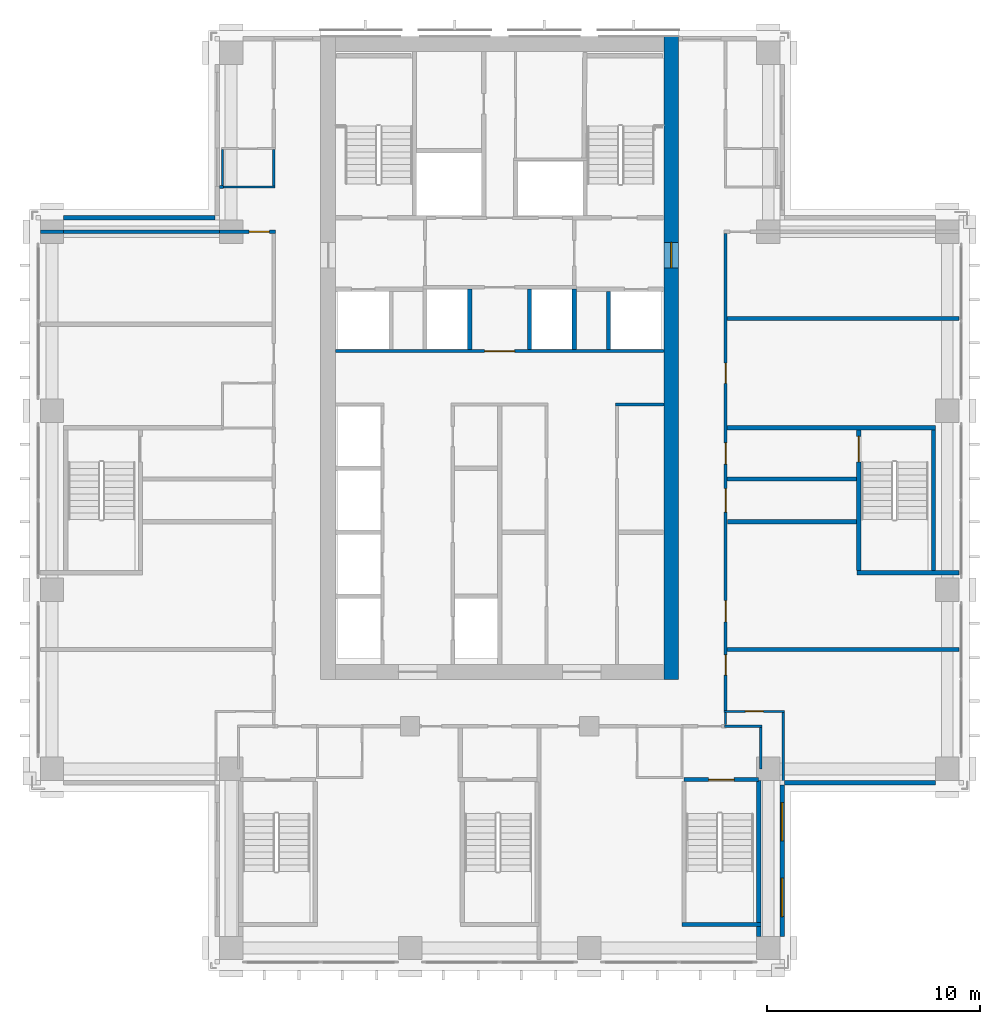
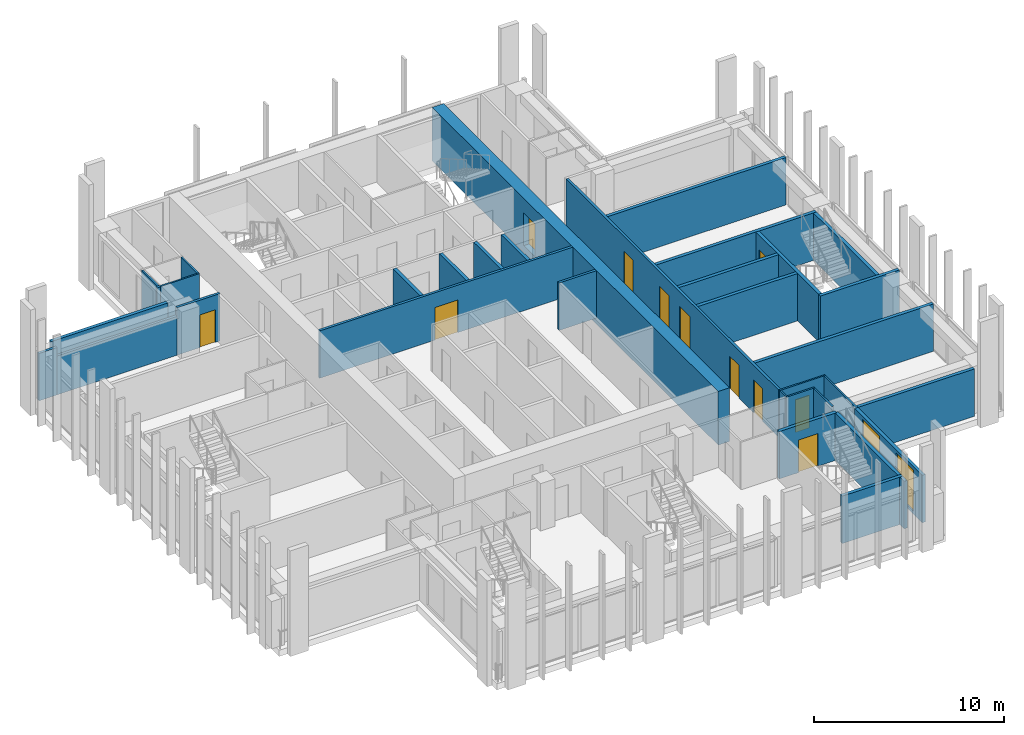
# One storey, part 11 of 16: 34 walls, 11 doors, 2 windows, 13 openings.
"""IFC4 building model written with IfcOpenShell, lengths in metres."""

from ifc_helpers import new_model, si_unit, direction, frame, frame_2d, origin, place, context, subcontext, project, spatial, rectangle, extrude, material, layer, layer_set, type_object, element, fill, save


model = new_model("IFC4")

# Units and contexts
model_context = context("Model", 3, precision=1e-05, world=origin(), true_north=direction((0.0, 1.0)))
body_context = subcontext(model_context, "Body", "Model", "MODEL_VIEW")
ifc_project = project(units=[si_unit("LENGTHUNIT", "METRE"), si_unit("AREAUNIT", "SQUARE_METRE"), si_unit("VOLUMEUNIT", "CUBIC_METRE"), si_unit("PLANEANGLEUNIT", "RADIAN"), si_unit("MASSUNIT", "GRAM", prefix="KILO")], contexts=[model_context])

# Site, building, storey
site_placement = place(None, origin())
site = spatial("IfcSite", under=ifc_project, at=site_placement, CompositionType="ELEMENT")
building_placement = place(site_placement, origin())
building = spatial("IfcBuilding", under=site, at=building_placement, Name="Vermilion Ogive Tower", CompositionType="ELEMENT")
storey_placement = place(building_placement, frame((0.0, 0.0, 164.14990234375)))
storey = spatial("IfcBuildingStorey", under=building, at=storey_placement, Name="L42", CompositionType="ELEMENT", Elevation=164.14990234375)

# Wall
ifc_material_1 = material(Name="Gypsum board partition on steel studs", Category="steel")
ifc_layer_1 = layer(ifc_material_1, 0.10009765625)
ifc_layer_set_1 = layer_set([ifc_layer_1], Name="Partition 100 bath")
wall_type_1 = type_object("IfcWallType", Name="Partition 100 bath", PredefinedType="PARTITIONING", material=ifc_layer_set_1)
wall_1_placement = place(storey_placement, frame((10.550048828125, -10.60009765625, 0.0), z_axis=(0.0, 0.0, 1.0), x_axis=(1.0, 0.0, 0.0)))
element("IfcWall", 1, at=wall_1_placement, inside=storey, type_object=wall_type_1, Name="L42-W-W013", PredefinedType="PARTITIONING", context=body_context, shape_type="SweptSolid", body=[
    extrude(rectangle(XDim=1.75, YDim=0.10009765625, at=frame_2d((0.875, 0.0))), origin(), (0.0, 0.0, 1.0), 3.050048828125),
])

# Wall, opening, door
wall_2_placement = place(storey_placement, frame((10.52490234375, -9.89990234375, 0.0), z_axis=(0.0, 0.0, 1.0), x_axis=(1.0, 0.0, 0.0)))
wall_2 = element("IfcWall", 2, at=wall_2_placement, inside=storey, type_object=wall_type_1, Name="L42-W-W015", PredefinedType="PARTITIONING", context=body_context, shape_type="SweptSolid", body=[
    extrude(rectangle(XDim=2.8251953125, YDim=0.10009765625, at=frame_2d((1.41259765625, 0.0))), origin(), (0.0, 0.0, 1.0), 3.050048828125),
])
opening_1_placement = place(wall_2_placement, frame((1.0, 0.0, 0.0)))
opening_1 = element("IfcOpeningElement", 3, at=opening_1_placement, cuts=wall_2, Name="Opening D3G5013", PredefinedType="OPENING", context=body_context, shape_type="SweptSolid", body=[
    extrude(rectangle(XDim=0.85009765625, YDim=2.10009765625, at=frame_2d((0.425048828125, 1.050048828125))), frame((0.0, 0.06005859375, 0.0), z_axis=(0.0, -1.0, 0.0), x_axis=(1.0, 0.0, 0.0)), (0.0, 0.0, 1.0), 0.1201171875),
])
ifc_material_2 = material(Name="Timber door leaf", Category="wood")
door_type_1 = type_object("IfcDoorType", Name="Bath door 850 x 2100 FD30", OperationType="SINGLE_SWING_LEFT", PredefinedType="DOOR", material=ifc_material_2)
door_1_placement = place(opening_1_placement, origin())
door_1 = element("IfcDoor", 4, at=door_1_placement, inside=storey, type_object=door_type_1, Name="L42-D-D013", OperationType="SINGLE_SWING_RIGHT", OverallHeight=2.10009765625, OverallWidth=0.85009765625, PredefinedType="DOOR", context=body_context, shape_type="SweptSolid", body=[
    extrude(rectangle(XDim=0.85009765625, YDim=2.10009765625, at=frame_2d((0.425048828125, 1.050048828125))), frame((0.0, 0.02490234375, 0.0), z_axis=(0.0, -1.0, 0.0), x_axis=(1.0, 0.0, 0.0)), (0.0, 0.0, 1.0), 0.050048828125),
])
fill(opening_1, door_1)

# Walls
wall_3_placement = place(storey_placement, frame((-13.050048828125, 14.699951171875, 0.0), z_axis=(0.0, 0.0, 1.0), x_axis=(1.0, 0.0, 0.0)))
element("IfcWall", 5, at=wall_3_placement, inside=storey, type_object=wall_type_1, Name="L42-W-W033", PredefinedType="PARTITIONING", context=body_context, shape_type="SweptSolid", body=[
    extrude(rectangle(XDim=2.5, YDim=0.10009765625, at=frame_2d((1.25, 0.0))), origin(), (0.0, 0.0, 1.0), 3.050048828125),
])
wall_4_placement = place(storey_placement, frame((-13.0, 14.77490234375, 0.0), z_axis=(0.0, 0.0, 1.0), x_axis=(0.0, 1.0, 0.0)))
element("IfcWall", 6, at=wall_4_placement, inside=storey, type_object=wall_type_1, Name="L42-W-W042", PredefinedType="PARTITIONING", context=body_context, shape_type="SweptSolid", body=[
    extrude(rectangle(XDim=1.675048828125, YDim=0.10009765625, at=frame_2d((0.83740234375, 0.0))), origin(), (0.0, 0.0, 1.0), 3.050048828125),
])
wall_5_placement = place(storey_placement, frame((-10.60009765625, 14.75, 0.0), z_axis=(0.0, 0.0, 1.0), x_axis=(0.0, 1.0, 0.0)))
element("IfcWall", 7, at=wall_5_placement, inside=storey, type_object=wall_type_1, Name="L42-W-W048", PredefinedType="PARTITIONING", context=body_context, shape_type="SweptSolid", body=[
    extrude(rectangle(XDim=1.699951171875, YDim=0.10009765625, at=frame_2d((0.85009765625, 0.0))), origin(), (0.0, 0.0, 1.0), 3.050048828125),
])
wall_6_placement = place(storey_placement, frame((10.60009765625, -10.52490234375, 0.0), z_axis=(0.0, 0.0, 1.0), x_axis=(0.0, 1.0, 0.0)))
element("IfcWall", 8, at=wall_6_placement, inside=storey, type_object=wall_type_1, Name="L42-W-W058", PredefinedType="PARTITIONING", context=body_context, shape_type="SweptSolid", body=[
    extrude(rectangle(XDim=0.574951171875, YDim=0.10009765625, at=frame_2d((0.28759765625, 0.0))), origin(), (0.0, 0.0, 1.0), 3.050048828125),
])
wall_7_placement = place(storey_placement, frame((12.25, -12.60009765625, 0.0), z_axis=(0.0, 0.0, 1.0), x_axis=(0.0, 1.0, 0.0)))
element("IfcWall", 9, at=wall_7_placement, inside=storey, type_object=wall_type_1, Name="L42-W-W062", PredefinedType="PARTITIONING", context=body_context, shape_type="SweptSolid", body=[
    extrude(rectangle(XDim=1.9501953125, YDim=0.10009765625, at=frame_2d((0.97509765625, 0.0))), origin(), (0.0, 0.0, 1.0), 3.050048828125),
])
wall_8_placement = place(storey_placement, frame((13.300048828125, -13.35009765625, 0.0), z_axis=(0.0, 0.0, 1.0), x_axis=(0.0, 1.0, 0.0)))
element("IfcWall", 10, at=wall_8_placement, inside=storey, type_object=wall_type_1, Name="L42-W-W064", PredefinedType="PARTITIONING", context=body_context, shape_type="SweptSolid", body=[
    extrude(rectangle(XDim=3.400146484375, YDim=0.10009765625, at=frame_2d((1.7001953125, 0.0))), origin(), (0.0, 0.0, 1.0), 3.050048828125),
])
ifc_material_3 = material(Name="Gypsum board partition on steel studs", Category="steel")
ifc_layer_2 = layer(ifc_material_3, 0.14990234375)
ifc_layer_set_2 = layer_set([ifc_layer_2], Name="Partition 150 corridor")
wall_type_2 = type_object("IfcWallType", Name="Partition 150 corridor", PredefinedType="PARTITIONING", material=ifc_layer_set_2)
wall_9_placement = place(storey_placement, frame((-21.550048828125, 12.60009765625, 0.0), z_axis=(0.0, 0.0, 1.0), x_axis=(1.0, 0.0, 0.0)))
element("IfcWall", 11, at=wall_9_placement, inside=storey, type_object=wall_type_2, Name="L42-W-W030", PredefinedType="PARTITIONING", context=body_context, shape_type="SweptSolid", body=[
    extrude(rectangle(XDim=1.10009765625, YDim=0.14990234375, at=frame_2d((0.550048828125, 0.0))), origin(), (0.0, 0.0, 1.0), 3.050048828125),
])
wall_10_placement = place(storey_placement, frame((-13.14990234375, 14.699951171875, 0.0), z_axis=(0.0, 0.0, 1.0), x_axis=(1.0, 0.0, 0.0)))
element("IfcWall", 12, at=wall_10_placement, inside=storey, type_object=wall_type_2, Name="L42-W-W032", PredefinedType="PARTITIONING", context=body_context, shape_type="SweptSolid", body=[
    extrude(rectangle(XDim=0.199951171875, YDim=0.14990234375, at=frame_2d((0.10009765625, 0.0))), origin(), (0.0, 0.0, 1.0), 3.050048828125),
])

# Wall, openings, doors
wall_11_placement = place(storey_placement, frame((10.60009765625, -9.85009765625, 0.0), z_axis=(0.0, 0.0, 1.0), x_axis=(0.0, 1.0, 0.0)))
wall_11 = element("IfcWall", 13, at=wall_11_placement, inside=storey, type_object=wall_type_2, Name="L42-W-W059", PredefinedType="PARTITIONING", context=body_context, shape_type="SweptSolid", body=[
    extrude(rectangle(XDim=22.375, YDim=0.14990234375, at=frame_2d((11.1875, 0.0))), origin(), (0.0, 0.0, 1.0), 3.050048828125),
])
opening_2_placement = place(wall_11_placement, frame((1.650146484375, 0.0, 0.0)))
opening_2 = element("IfcOpeningElement", 14, at=opening_2_placement, cuts=wall_11, Name="Opening D3G5012", PredefinedType="OPENING", context=body_context, shape_type="SweptSolid", body=[
    extrude(rectangle(XDim=0.949951171875, YDim=2.10009765625, at=frame_2d((0.47509765625, 1.050048828125))), frame((0.0, 0.0849609375, 0.0), z_axis=(0.0, -1.0, 0.0), x_axis=(1.0, 0.0, 0.0)), (0.0, 0.0, 1.0), 0.169921875),
])
opening_3_placement = place(wall_11_placement, frame((15.340087890625, 0.0, 0.0)))
opening_3 = element("IfcOpeningElement", 15, at=opening_3_placement, cuts=wall_11, Name="Opening D3G5014", PredefinedType="OPENING", context=body_context, shape_type="SweptSolid", body=[
    extrude(rectangle(XDim=0.949951171875, YDim=2.10009765625, at=frame_2d((0.47509765625, 1.050048828125))), frame((0.0, 0.0849609375, 0.0), z_axis=(0.0, -1.0, 0.0), x_axis=(1.0, 0.0, 0.0)), (0.0, 0.0, 1.0), 0.169921875),
])
opening_4_placement = place(wall_11_placement, frame((9.300048828125, 0.0, 0.0)))
opening_4 = element("IfcOpeningElement", 16, at=opening_4_placement, cuts=wall_11, Name="Opening D3G5024", PredefinedType="OPENING", context=body_context, shape_type="SweptSolid", body=[
    extrude(rectangle(XDim=1.10009765625, YDim=2.10009765625, at=frame_2d((0.550048828125, 1.050048828125))), frame((0.0, 0.0849609375, 0.0), z_axis=(0.0, -1.0, 0.0), x_axis=(1.0, 0.0, 0.0)), (0.0, 0.0, 1.0), 0.169921875),
])
opening_5_placement = place(wall_11_placement, frame((4.150146484375, 0.0, 0.0)))
opening_5 = element("IfcOpeningElement", 17, at=opening_5_placement, cuts=wall_11, Name="Opening D3G5029", PredefinedType="OPENING", context=body_context, shape_type="SweptSolid", body=[
    extrude(rectangle(XDim=1.0, YDim=2.10009765625, at=frame_2d((0.5, 1.050048828125))), frame((0.0, 0.0849609375, 0.0), z_axis=(0.0, -1.0, 0.0), x_axis=(1.0, 0.0, 0.0)), (0.0, 0.0, 1.0), 0.169921875),
])
opening_6_placement = place(wall_11_placement, frame((11.550048828125, 0.0, 0.0)))
opening_6 = element("IfcOpeningElement", 18, at=opening_6_placement, cuts=wall_11, Name="Opening D3G5031", PredefinedType="OPENING", context=body_context, shape_type="SweptSolid", body=[
    extrude(rectangle(XDim=1.0, YDim=2.10009765625, at=frame_2d((0.5, 1.050048828125))), frame((0.0, 0.0849609375, 0.0), z_axis=(0.0, -1.0, 0.0), x_axis=(1.0, 0.0, 0.0)), (0.0, 0.0, 1.0), 0.169921875),
])
ifc_material_4 = material(Name="Timber door leaf", Category="wood")
door_type_2 = type_object("IfcDoorType", Name="Stair door 1100 x 2100 FD60S", OperationType="SINGLE_SWING_LEFT", PredefinedType="DOOR", material=ifc_material_4)
door_2_placement = place(opening_4_placement, origin())
door_2 = element("IfcDoor", 19, at=door_2_placement, inside=storey, type_object=door_type_2, Name="L42-D-D024", OperationType="SINGLE_SWING_LEFT", OverallHeight=2.10009765625, OverallWidth=1.10009765625, PredefinedType="DOOR", context=body_context, shape_type="SweptSolid", body=[
    extrude(rectangle(XDim=1.10009765625, YDim=2.10009765625, at=frame_2d((0.550048828125, 1.050048828125))), frame((0.0, 0.02490234375, 0.0), z_axis=(0.0, -1.0, 0.0), x_axis=(1.0, 0.0, 0.0)), (0.0, 0.0, 1.0), 0.050048828125),
])
fill(opening_4, door_2)
ifc_material_5 = material(Name="Timber door leaf", Category="wood")
door_type_3 = type_object("IfcDoorType", Name="Unit door 1000 x 2100 FD30S", OperationType="SINGLE_SWING_LEFT", PredefinedType="DOOR", material=ifc_material_5)
door_3_placement = place(opening_5_placement, origin())
door_3 = element("IfcDoor", 20, at=door_3_placement, inside=storey, type_object=door_type_3, Name="L42-D-D029", OperationType="SINGLE_SWING_RIGHT", OverallHeight=2.10009765625, OverallWidth=1.0, PredefinedType="DOOR", context=body_context, shape_type="SweptSolid", body=[
    extrude(rectangle(XDim=1.0, YDim=2.10009765625, at=frame_2d((0.5, 1.050048828125))), frame((0.0, 0.02490234375, 0.0), z_axis=(0.0, -1.0, 0.0), x_axis=(1.0, 0.0, 0.0)), (0.0, 0.0, 1.0), 0.050048828125),
])
fill(opening_5, door_3)
door_4_placement = place(opening_6_placement, origin())
door_4 = element("IfcDoor", 21, at=door_4_placement, inside=storey, type_object=door_type_3, Name="L42-D-D031", OperationType="SINGLE_SWING_LEFT", OverallHeight=2.10009765625, OverallWidth=1.0, PredefinedType="DOOR", context=body_context, shape_type="SweptSolid", body=[
    extrude(rectangle(XDim=1.0, YDim=2.10009765625, at=frame_2d((0.5, 1.050048828125))), frame((0.0, 0.02490234375, 0.0), z_axis=(0.0, -1.0, 0.0), x_axis=(1.0, 0.0, 0.0)), (0.0, 0.0, 1.0), 0.050048828125),
])
fill(opening_6, door_4)
ifc_material_6 = material(Name="Timber door leaf", Category="wood")
door_type_4 = type_object("IfcDoorType", Name="Unit door 950 x 2100 FD30S", OperationType="SINGLE_SWING_LEFT", PredefinedType="DOOR", material=ifc_material_6)
door_5_placement = place(opening_2_placement, origin())
door_5 = element("IfcDoor", 22, at=door_5_placement, inside=storey, type_object=door_type_4, Name="L42-D-D012", OperationType="SINGLE_SWING_LEFT", OverallHeight=2.10009765625, OverallWidth=0.949951171875, PredefinedType="DOOR", context=body_context, shape_type="SweptSolid", body=[
    extrude(rectangle(XDim=0.949951171875, YDim=2.10009765625, at=frame_2d((0.47509765625, 1.050048828125))), frame((0.0, 0.02490234375, 0.0), z_axis=(0.0, -1.0, 0.0), x_axis=(1.0, 0.0, 0.0)), (0.0, 0.0, 1.0), 0.050048828125),
])
fill(opening_2, door_5)
door_6_placement = place(opening_3_placement, origin())
door_6 = element("IfcDoor", 23, at=door_6_placement, inside=storey, type_object=door_type_4, Name="L42-D-D014", OperationType="SINGLE_SWING_LEFT", OverallHeight=2.10009765625, OverallWidth=0.949951171875, PredefinedType="DOOR", context=body_context, shape_type="SweptSolid", body=[
    extrude(rectangle(XDim=0.949951171875, YDim=2.10009765625, at=frame_2d((0.47509765625, 1.050048828125))), frame((0.0, 0.02490234375, 0.0), z_axis=(0.0, -1.0, 0.0), x_axis=(1.0, 0.0, 0.0)), (0.0, 0.0, 1.0), 0.050048828125),
])
fill(opening_3, door_6)

# Wall
wall_12_placement = place(storey_placement, frame((5.425048828125, 4.5, 0.0), z_axis=(0.0, 0.0, 1.0), x_axis=(1.0, 0.0, 0.0)))
element("IfcWall", 24, at=wall_12_placement, inside=storey, type_object=wall_type_2, Name="L42-CK-W-W010", PredefinedType="PARTITIONING", context=body_context, shape_type="SweptSolid", body=[
    extrude(rectangle(XDim=2.27392578125, YDim=0.14990234375, at=frame_2d((1.136962890625, 0.0))), origin(), (0.0, 0.0, 1.0), 3.050048828125),
])

# Wall, opening, door
wall_13_placement = place(storey_placement, frame((-7.698974609375, 7.0, 0.0), z_axis=(0.0, 0.0, 1.0), x_axis=(1.0, 0.0, 0.0)))
wall_13 = element("IfcWall", 25, at=wall_13_placement, inside=storey, type_object=wall_type_2, Name="L42-CK-W-W011", PredefinedType="PARTITIONING", context=body_context, shape_type="SweptSolid", body=[
    extrude(rectangle(XDim=15.39794921875, YDim=0.14990234375, at=frame_2d((7.698974609375, 0.0))), origin(), (0.0, 0.0, 1.0), 3.050048828125),
])
opening_7_placement = place(wall_13_placement, frame((6.9990234375, 0.0, 0.0)))
opening_7 = element("IfcOpeningElement", 26, at=opening_7_placement, cuts=wall_13, Name="Opening DAA373", PredefinedType="OPENING", context=body_context, shape_type="SweptSolid", body=[
    extrude(rectangle(XDim=1.39990234375, YDim=2.10009765625, at=frame_2d((0.699951171875, 1.050048828125))), frame((0.0, 0.0849609375, 0.0), z_axis=(0.0, -1.0, 0.0), x_axis=(1.0, 0.0, 0.0)), (0.0, 0.0, 1.0), 0.169921875),
])
ifc_material_7 = material(Name="Timber door leaf", Category="wood")
door_type_5 = type_object("IfcDoorType", Name="Lobby door 1400 x 2100 FD60S", OperationType="SINGLE_SWING_LEFT", PredefinedType="DOOR", material=ifc_material_7)
door_7_placement = place(opening_7_placement, origin())
door_7 = element("IfcDoor", 27, at=door_7_placement, inside=storey, type_object=door_type_5, Name="L42-CK-D-D016", OperationType="SINGLE_SWING_RIGHT", OverallHeight=2.10009765625, OverallWidth=1.39990234375, PredefinedType="DOOR", context=body_context, shape_type="SweptSolid", body=[
    extrude(rectangle(XDim=1.39990234375, YDim=2.10009765625, at=frame_2d((0.699951171875, 1.050048828125))), frame((0.0, 0.02490234375, 0.0), z_axis=(0.0, -1.0, 0.0), x_axis=(1.0, 0.0, 0.0)), (0.0, 0.0, 1.0), 0.050048828125),
])
fill(opening_7, door_7)

# Wall
wall_14_placement = place(storey_placement, frame((-20.449951171875, 12.60009765625, 0.0), z_axis=(0.0, 0.0, 1.0), x_axis=(1.0, 0.0, 0.0)))
element("IfcWall", 28, at=wall_14_placement, inside=storey, type_object=wall_type_2, Name="L42-W-W030-h1", PredefinedType="PARTITIONING", context=body_context, shape_type="SweptSolid", body=[
    extrude(rectangle(XDim=7.300048828125, YDim=0.14990234375, at=frame_2d((3.64990234375, 0.0))), origin(), (0.0, 0.0, 1.0), 2.5),
])

# Wall, opening, door
wall_15_placement = place(storey_placement, frame((-13.14990234375, 12.60009765625, 0.0), z_axis=(0.0, 0.0, 1.0), x_axis=(1.0, 0.0, 0.0)))
wall_15 = element("IfcWall", 29, at=wall_15_placement, inside=storey, type_object=wall_type_2, Name="L42-W-W030-h2", PredefinedType="PARTITIONING", context=body_context, shape_type="SweptSolid", body=[
    extrude(rectangle(XDim=2.625, YDim=0.14990234375, at=frame_2d((1.3125, 0.0))), origin(), (0.0, 0.0, 1.0), 3.050048828125),
])
opening_8_placement = place(wall_15_placement, frame((1.39990234375, 0.0, 0.0)))
opening_8 = element("IfcOpeningElement", 30, at=opening_8_placement, cuts=wall_15, Name="Opening D3G5005", PredefinedType="OPENING", context=body_context, shape_type="SweptSolid", body=[
    extrude(rectangle(XDim=0.949951171875, YDim=2.10009765625, at=frame_2d((0.47509765625, 1.050048828125))), frame((0.0, 0.0849609375, 0.0), z_axis=(0.0, -1.0, 0.0), x_axis=(1.0, 0.0, 0.0)), (0.0, 0.0, 1.0), 0.169921875),
])
door_8_placement = place(opening_8_placement, origin())
door_8 = element("IfcDoor", 31, at=door_8_placement, inside=storey, type_object=door_type_4, Name="L42-D-D005", OperationType="SINGLE_SWING_RIGHT", OverallHeight=2.10009765625, OverallWidth=0.949951171875, PredefinedType="DOOR", context=body_context, shape_type="SweptSolid", body=[
    extrude(rectangle(XDim=0.949951171875, YDim=2.10009765625, at=frame_2d((0.47509765625, 1.050048828125))), frame((0.0, 0.02490234375, 0.0), z_axis=(0.0, -1.0, 0.0), x_axis=(1.0, 0.0, 0.0)), (0.0, 0.0, 1.0), 0.050048828125),
])
fill(opening_8, door_8)

# Walls
ifc_material_8 = material(Name="Gypsum board partition on steel studs", Category="steel")
ifc_layer_3 = layer(ifc_material_8, 0.199951171875)
ifc_layer_set_3 = layer_set([ifc_layer_3], Name="Partition 200 party")
wall_type_3 = type_object("IfcWallType", Name="Partition 200 party", PredefinedType="PARTITIONING", material=ifc_layer_set_3)
wall_16_placement = place(storey_placement, frame((10.675048828125, -7.0, 0.0), z_axis=(0.0, 0.0, 1.0), x_axis=(1.0, 0.0, 0.0)))
element("IfcWall", 32, at=wall_16_placement, inside=storey, type_object=wall_type_3, Name="L42-W-W017", PredefinedType="PARTITIONING", context=body_context, shape_type="SweptSolid", body=[
    extrude(rectangle(XDim=10.875, YDim=0.199951171875, at=frame_2d((5.4375, 0.0))), origin(), (0.0, 0.0, 1.0), 3.050048828125),
])
wall_17_placement = place(storey_placement, frame((10.677001953125, -1.0, 0.0), z_axis=(0.0, 0.0, 1.0), x_axis=(1.0, 0.0, 0.0)))
element("IfcWall", 33, at=wall_17_placement, inside=storey, type_object=wall_type_3, Name="L42-W-W021", PredefinedType="PARTITIONING", context=body_context, shape_type="SweptSolid", body=[
    extrude(rectangle(XDim=6.071044921875, YDim=0.199951171875, at=frame_2d((3.03564453125, 0.0))), origin(), (0.0, 0.0, 1.0), 3.050048828125),
])
wall_18_placement = place(storey_placement, frame((10.675048828125, 1.0, 0.0), z_axis=(0.0, 0.0, 1.0), x_axis=(1.0, 0.0, 0.0)))
element("IfcWall", 34, at=wall_18_placement, inside=storey, type_object=wall_type_3, Name="L42-W-W023", PredefinedType="PARTITIONING", context=body_context, shape_type="SweptSolid", body=[
    extrude(rectangle(XDim=6.074951171875, YDim=0.199951171875, at=frame_2d((3.03759765625, 0.0))), origin(), (0.0, 0.0, 1.0), 3.050048828125),
])
wall_19_placement = place(storey_placement, frame((10.675048828125, 8.530029296875, 0.0), z_axis=(0.0, 0.0, 1.0), x_axis=(1.0, 0.0, 0.0)))
element("IfcWall", 35, at=wall_19_placement, inside=storey, type_object=wall_type_3, Name="L42-W-W029", PredefinedType="PARTITIONING", context=body_context, shape_type="SweptSolid", body=[
    extrude(rectangle(XDim=10.875, YDim=0.199951171875, at=frame_2d((5.4375, 0.0))), origin(), (0.0, 0.0, 1.0), 3.050048828125),
])
for number, where, z_axis, x_axis, name in (
    (36, (-1.39990234375, 7.074951171875, 0.0), (0.0, 0.0, 1.0), (0.0, 1.0, 0.0), "L42-CK-W-W026"),
    (37, (1.39990234375, 7.074951171875, 0.0), (0.0, 0.0, 1.0), (0.0, 1.0, 0.0), "L42-CK-W-W031"),
    (38, (3.5, 7.074951171875, 0.0), (0.0, 0.0, 1.0), (0.0, 1.0, 0.0), "L42-CK-W-W033"),
):
    element("IfcWall", number, at=place(storey_placement, frame(where, z_axis=z_axis, x_axis=x_axis)), inside=storey, type_object=wall_type_3, Name=name, PredefinedType="PARTITIONING", context=body_context, shape_type="SweptSolid", body=[
        extrude(rectangle(XDim=2.85009765625, YDim=0.199951171875, at=frame_2d((1.425048828125, 0.0))), origin(), (0.0, 0.0, 1.0), 3.050048828125),
    ])
wall_20_placement = place(storey_placement, frame((5.10009765625, 7.074951171875, 0.0), z_axis=(0.0, 0.0, 1.0), x_axis=(0.0, 1.0, 0.0)))
element("IfcWall", 39, at=wall_20_placement, inside=storey, type_object=wall_type_3, Name="L42-CK-W-W037", PredefinedType="PARTITIONING", context=body_context, shape_type="SweptSolid", body=[
    extrude(rectangle(XDim=2.72509765625, YDim=0.199951171875, at=frame_2d((1.362548828125, 0.0))), origin(), (0.0, 0.0, 1.0), 3.050048828125),
])

# Wall, opening, door
ifc_material_9 = material(Name="Concrete B60", Category="concrete")
ifc_layer_4 = layer(ifc_material_9, 0.199951171875)
ifc_layer_set_4 = layer_set([ifc_layer_4], Name="Stair shaft wall 200 Concrete B60")
wall_type_4 = type_object("IfcWallType", Name="Stair shaft wall 200 Concrete B60", PredefinedType="SOLIDWALL", material=ifc_layer_set_4)
wall_21_placement = place(storey_placement, frame((8.050048828125, -8.39990234375, -0.39990234375), z_axis=(0.0, 0.0, 1.0), x_axis=(0.0, 1.0, 0.0)))
wall_21 = element("IfcWall", 40, at=wall_21_placement, inside=storey, type_object=wall_type_4, Name="L42-CORE-E", PredefinedType="SOLIDWALL", context=body_context, shape_type="SweptSolid", body=[
    extrude(rectangle(XDim=30.14990234375, YDim=0.699951171875, at=frame_2d((15.074951171875, 0.0))), origin(), (0.0, 0.0, 1.0), 3.449951171875),
])
opening_9_placement = place(wall_21_placement, frame((19.300048828125, 0.0, 0.39990234375)))
opening_9 = element("IfcOpeningElement", 41, at=opening_9_placement, cuts=wall_21, Name="Opening DAL017", PredefinedType="OPENING", context=body_context, shape_type="SweptSolid", body=[
    extrude(rectangle(XDim=1.199951171875, YDim=2.10009765625, at=frame_2d((0.60009765625, 1.050048828125))), frame((0.0, 0.35986328125, 0.0), z_axis=(0.0, -1.0, 0.0), x_axis=(1.0, 0.0, 0.0)), (0.0, 0.0, 1.0), 0.719970703125),
])
ifc_material_10 = material(Name="Timber door leaf", Category="wood")
door_type_6 = type_object("IfcDoorType", Name="Link door 1200 x 2100 FD60S", OperationType="SINGLE_SWING_LEFT", PredefinedType="DOOR", material=ifc_material_10)
door_9_placement = place(opening_9_placement, origin())
door_9 = element("IfcDoor", 42, at=door_9_placement, inside=storey, type_object=door_type_6, Name="L42-CK-XD4", OperationType="SINGLE_SWING_LEFT", OverallHeight=2.10009765625, OverallWidth=1.199951171875, PredefinedType="DOOR", context=body_context, shape_type="SweptSolid", body=[
    extrude(rectangle(XDim=1.199951171875, YDim=2.10009765625, at=frame_2d((0.60009765625, 1.050048828125))), frame((0.0, 0.02490234375, 0.0), z_axis=(0.0, -1.0, 0.0), x_axis=(1.0, 0.0, 0.0)), (0.0, 0.0, 1.0), 0.050048828125),
])
fill(opening_9, door_9)

wall_22_placement = place(storey_placement, frame((8.64990234375, -13.10009765625, 0.0), z_axis=(0.0, 0.0, 1.0), x_axis=(1.0, 0.0, 0.0)))
wall_22 = element("IfcWall", 43, at=wall_22_placement, inside=storey, type_object=wall_type_4, Name="L42-W-W004", PredefinedType="SOLIDWALL", context=body_context, shape_type="SweptSolid", body=[
    extrude(rectangle(XDim=3.5, YDim=0.199951171875, at=frame_2d((1.75, 0.0))), origin(), (0.0, 0.0, 1.0), 3.050048828125),
])
opening_10_placement = place(wall_22_placement, frame((1.150146484375, 0.0, 0.0)))
opening_10 = element("IfcOpeningElement", 44, at=opening_10_placement, cuts=wall_22, Name="Opening D3G5023", PredefinedType="OPENING", context=body_context, shape_type="SweptSolid", body=[
    extrude(rectangle(XDim=1.199951171875, YDim=2.10009765625, at=frame_2d((0.60009765625, 1.050048828125))), frame((0.0, 0.10986328125, 0.0), z_axis=(0.0, -1.0, 0.0), x_axis=(1.0, 0.0, 0.0)), (0.0, 0.0, 1.0), 0.219970703125),
])
ifc_material_11 = material(Name="Timber door leaf", Category="wood")
door_type_7 = type_object("IfcDoorType", Name="Stair door 1200 x 2100 FD60S", OperationType="SINGLE_SWING_LEFT", PredefinedType="DOOR", material=ifc_material_11)
door_10_placement = place(opening_10_placement, origin())
door_10 = element("IfcDoor", 45, at=door_10_placement, inside=storey, type_object=door_type_7, Name="L42-D-D023", OperationType="SINGLE_SWING_RIGHT", OverallHeight=2.10009765625, OverallWidth=1.199951171875, PredefinedType="DOOR", context=body_context, shape_type="SweptSolid", body=[
    extrude(rectangle(XDim=1.199951171875, YDim=2.10009765625, at=frame_2d((0.60009765625, 1.050048828125))), frame((0.0, 0.02490234375, 0.0), z_axis=(0.0, -1.0, 0.0), x_axis=(1.0, 0.0, 0.0)), (0.0, 0.0, 1.0), 0.050048828125),
])
fill(opening_10, door_10)

# Wall
wall_23_placement = place(storey_placement, frame((16.751953125, -3.39990234375, 0.0), z_axis=(0.0, 0.0, 1.0), x_axis=(1.0, 0.0, 0.0)))
element("IfcWall", 46, at=wall_23_placement, inside=storey, type_object=wall_type_4, Name="L42-W-W019", PredefinedType="SOLIDWALL", context=body_context, shape_type="SweptSolid", body=[
    extrude(rectangle(XDim=4.798095703125, YDim=0.199951171875, at=frame_2d((2.39892578125, 0.0))), origin(), (0.0, 0.0, 1.0), 3.050048828125),
])

# Wall, opening, door
wall_24_placement = place(storey_placement, frame((16.85009765625, -3.298095703125, 0.0), z_axis=(0.0, 0.0, 1.0), x_axis=(0.0, 1.0, 0.0)))
wall_24 = element("IfcWall", 47, at=wall_24_placement, inside=storey, type_object=wall_type_4, Name="L42-W-W065", PredefinedType="SOLIDWALL", context=body_context, shape_type="SweptSolid", body=[
    extrude(rectangle(XDim=6.59814453125, YDim=0.199951171875, at=frame_2d((3.299072265625, 0.0))), origin(), (0.0, 0.0, 1.0), 3.050048828125),
])
opening_11_placement = place(wall_24_placement, frame((5.10009765625, 0.0, 0.0)))
opening_11 = element("IfcOpeningElement", 48, at=opening_11_placement, cuts=wall_24, Name="Opening D3G5025", PredefinedType="OPENING", context=body_context, shape_type="SweptSolid", body=[
    extrude(rectangle(XDim=1.199951171875, YDim=2.10009765625, at=frame_2d((0.60009765625, 1.050048828125))), frame((0.0, 0.10986328125, 0.0), z_axis=(0.0, -1.0, 0.0), x_axis=(1.0, 0.0, 0.0)), (0.0, 0.0, 1.0), 0.219970703125),
])
door_11_placement = place(opening_11_placement, origin())
door_11 = element("IfcDoor", 49, at=door_11_placement, inside=storey, type_object=door_type_7, Name="L42-D-D025", OperationType="SINGLE_SWING_LEFT", OverallHeight=2.10009765625, OverallWidth=1.199951171875, PredefinedType="DOOR", context=body_context, shape_type="SweptSolid", body=[
    extrude(rectangle(XDim=1.199951171875, YDim=2.10009765625, at=frame_2d((0.60009765625, 1.050048828125))), frame((0.0, 0.02490234375, 0.0), z_axis=(0.0, -1.0, 0.0), x_axis=(1.0, 0.0, 0.0)), (0.0, 0.0, 1.0), 0.050048828125),
])
fill(opening_11, door_11)

# Walls
wall_25_placement = place(storey_placement, frame((20.35009765625, -3.298095703125, 0.0), z_axis=(0.0, 0.0, 1.0), x_axis=(0.0, 1.0, 0.0)))
element("IfcWall", 50, at=wall_25_placement, inside=storey, type_object=wall_type_4, Name="L42-W-W066", PredefinedType="SOLIDWALL", context=body_context, shape_type="SweptSolid", body=[
    extrude(rectangle(XDim=6.59619140625, YDim=0.199951171875, at=frame_2d((3.298095703125, 0.0))), origin(), (0.0, 0.0, 1.0), 3.050048828125),
])
wall_26_placement = place(storey_placement, frame((8.550048828125, -19.89990234375, 0.0), z_axis=(0.0, 0.0, 1.0), x_axis=(1.0, 0.0, 0.0)))
element("IfcWall", 51, at=wall_26_placement, inside=storey, type_object=wall_type_4, Name="L42-SW-ST5-S1", PredefinedType="SOLIDWALL", context=body_context, shape_type="SweptSolid", body=[
    extrude(rectangle(XDim=3.699951171875, YDim=0.199951171875, at=frame_2d((1.85009765625, 0.0))), origin(), (0.0, 0.0, 1.0), 3.050048828125),
])
wall_27_placement = place(storey_placement, frame((12.14990234375, -20.449951171875, 0.0), z_axis=(0.0, 0.0, 1.0), x_axis=(0.0, 1.0, 0.0)))
element("IfcWall", 52, at=wall_27_placement, inside=storey, type_object=wall_type_4, Name="L42-SW-ST5-E1", PredefinedType="SOLIDWALL", context=body_context, shape_type="SweptSolid", body=[
    extrude(rectangle(XDim=7.300048828125, YDim=0.199951171875, at=frame_2d((3.64990234375, 0.0))), origin(), (0.0, 0.0, 1.0), 3.050048828125),
])
wall_28_placement = place(storey_placement, frame((10.675048828125, 3.39990234375, 0.0), z_axis=(0.0, 0.0, 1.0), x_axis=(1.0, 0.0, 0.0)))
element("IfcWall", 53, at=wall_28_placement, inside=storey, type_object=wall_type_4, Name="L42-W-W026-A", PredefinedType="SOLIDWALL", context=body_context, shape_type="SweptSolid", body=[
    extrude(rectangle(XDim=9.77294921875, YDim=0.199951171875, at=frame_2d((4.886474609375, 0.0))), origin(), (0.0, 0.0, 1.0), 3.050048828125),
])

# Wall, openings, windows
ifc_material_12 = material(Name="Aluminium window wall framing", Category="aluminium")
ifc_layer_5 = layer(ifc_material_12, 0.199951171875)
ifc_layer_set_5 = layer_set([ifc_layer_5], Name="Window wall")
wall_type_5 = type_object("IfcWallType", Name="Window wall", PredefinedType="STANDARD", material=ifc_layer_set_5)
wall_29_placement = place(storey_placement, frame((13.25, -20.449951171875, 0.0), z_axis=(0.0, 0.0, 1.0), x_axis=(0.0, 1.0, 0.0)))
wall_29 = element("IfcWall", 54, at=wall_29_placement, inside=storey, type_object=wall_type_5, Name="Window wall X11", PredefinedType="STANDARD", context=body_context, shape_type="SweptSolid", body=[
    extrude(rectangle(XDim=7.099853515625, YDim=0.199951171875, at=frame_2d((3.5498046875, 0.0))), origin(), (0.0, 0.0, 1.0), 3.050048828125),
])
opening_12_placement = place(wall_29_placement, frame((0.925048828125, 0.0, 0.199951171875)))
opening_12 = element("IfcOpeningElement", 55, at=opening_12_placement, cuts=wall_29, Name="Opening W1-X195", PredefinedType="OPENING", context=body_context, shape_type="SweptSolid", body=[
    extrude(rectangle(XDim=1.800048828125, YDim=2.64990234375, at=frame_2d((0.89990234375, 1.324951171875))), frame((0.0, 0.10986328125, 0.0), z_axis=(0.0, -1.0, 0.0), x_axis=(1.0, 0.0, 0.0)), (0.0, 0.0, 1.0), 0.219970703125),
])
opening_13_placement = place(wall_29_placement, frame((4.47509765625, 0.0, 0.199951171875)))
opening_13 = element("IfcOpeningElement", 56, at=opening_13_placement, cuts=wall_29, Name="Opening W1-X196", PredefinedType="OPENING", context=body_context, shape_type="SweptSolid", body=[
    extrude(rectangle(XDim=1.800048828125, YDim=2.64990234375, at=frame_2d((0.89990234375, 1.324951171875))), frame((0.0, 0.10986328125, 0.0), z_axis=(0.0, -1.0, 0.0), x_axis=(1.0, 0.0, 0.0)), (0.0, 0.0, 1.0), 0.219970703125),
])
ifc_material_13 = material(Name="Aluminium framed double glazing", Category="aluminium")
window_type = type_object("IfcWindowType", Name="Guest window W1", PartitioningType="SINGLE_PANEL", PredefinedType="WINDOW", material=ifc_material_13)
window_1_placement = place(opening_12_placement, origin())
window_1 = element("IfcWindow", 57, at=window_1_placement, inside=storey, type_object=window_type, Name="Window X195", OverallHeight=2.64990234375, OverallWidth=1.800048828125, PartitioningType="SINGLE_PANEL", PredefinedType="WINDOW", context=body_context, shape_type="SweptSolid", body=[
    extrude(rectangle(XDim=1.800048828125, YDim=2.64990234375, at=frame_2d((0.89990234375, 1.324951171875))), frame((0.0, 0.030029296875, 0.0), z_axis=(0.0, -1.0, 0.0), x_axis=(1.0, 0.0, 0.0)), (0.0, 0.0, 1.0), 0.06005859375),
])
fill(opening_12, window_1)
window_2_placement = place(opening_13_placement, origin())
window_2 = element("IfcWindow", 58, at=window_2_placement, inside=storey, type_object=window_type, Name="Window X196", OverallHeight=2.64990234375, OverallWidth=1.800048828125, PartitioningType="SINGLE_PANEL", PredefinedType="WINDOW", context=body_context, shape_type="SweptSolid", body=[
    extrude(rectangle(XDim=1.800048828125, YDim=2.64990234375, at=frame_2d((0.89990234375, 1.324951171875))), frame((0.0, 0.030029296875, 0.0), z_axis=(0.0, -1.0, 0.0), x_axis=(1.0, 0.0, 0.0)), (0.0, 0.0, 1.0), 0.06005859375),
])
fill(opening_13, window_2)

# Walls
for number, where, z_axis, x_axis, name in (
    (59, (13.35009765625, -13.25, 0.0), (0.0, 0.0, 1.0), (1.0, 0.0, 0.0), "Window wall X21"),
    (60, (-13.35009765625, 13.25, 0.0), (0.0, 0.0, 1.0), (-1.0, 0.0, 0.0), "Window wall X61"),
):
    element("IfcWall", number, at=place(storey_placement, frame(where, z_axis=z_axis, x_axis=x_axis)), inside=storey, type_object=wall_type_5, Name=name, PredefinedType="STANDARD", context=body_context, shape_type="SweptSolid", body=[
        extrude(rectangle(XDim=7.099853515625, YDim=0.199951171875, at=frame_2d((3.5498046875, 0.0))), origin(), (0.0, 0.0, 1.0), 3.050048828125),
    ])

save(model, "model.ifc")
